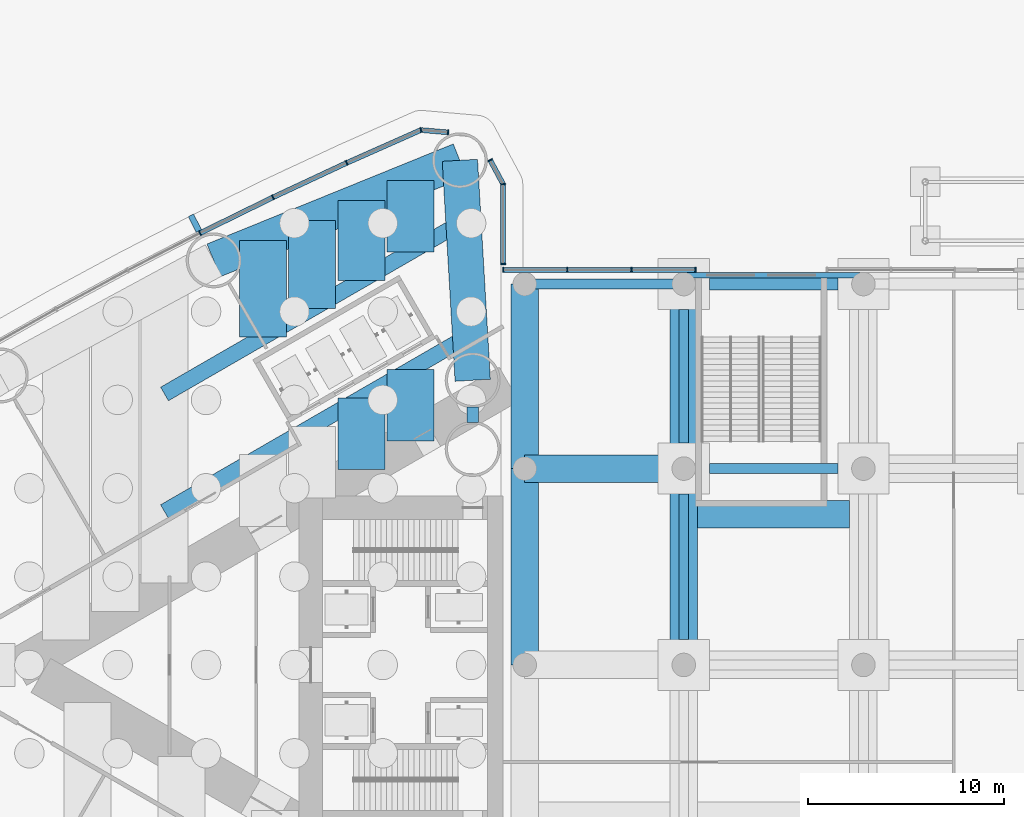
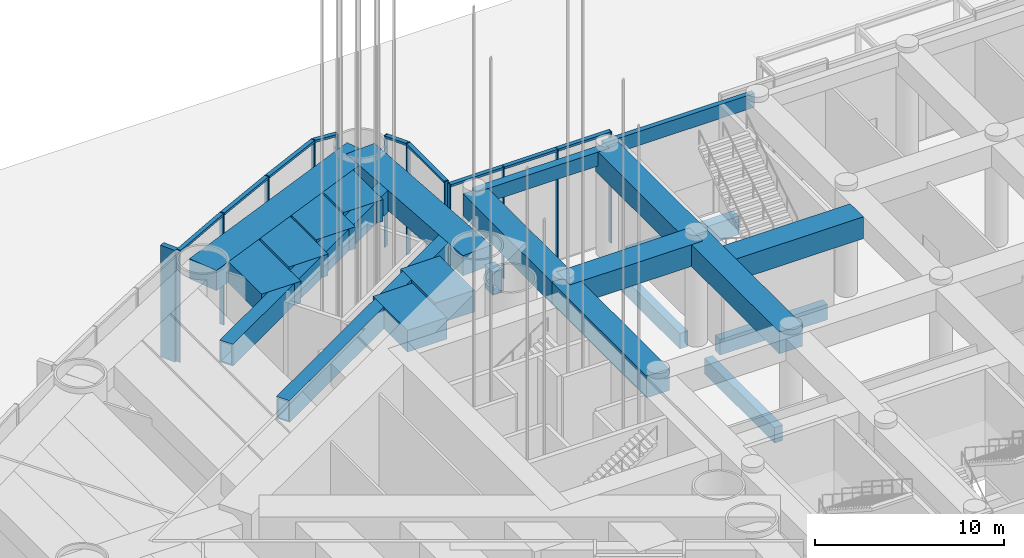
# One storey, part 10 of 43: 23 beams, 22 members, 3 elements without a shape of their own.
"""IFC4 building model written with IfcOpenShell, lengths in metres."""

from ifc_helpers import new_model, si_unit, direction, frame, origin, origin_2d, place, context, subcontext, project, spatial, rectangle, hollow_rectangle, extrude, material, material_profile, profile_set, type_object, element, aggregate, save


model = new_model("IFC4")

# Units and contexts
model_context = context("Model", 3, precision=1e-05, world=origin(), true_north=direction((0.0, 1.0)))
body_context = subcontext(model_context, "Body", "Model", "MODEL_VIEW")
ifc_project = project(units=[si_unit("LENGTHUNIT", "METRE"), si_unit("AREAUNIT", "SQUARE_METRE"), si_unit("VOLUMEUNIT", "CUBIC_METRE"), si_unit("PLANEANGLEUNIT", "RADIAN"), si_unit("MASSUNIT", "GRAM", prefix="KILO")], contexts=[model_context])

# Site, building, storey
site_placement = place(None, origin())
site = spatial("IfcSite", under=ifc_project, at=site_placement, CompositionType="ELEMENT")
building_placement = place(site_placement, origin())
building = spatial("IfcBuilding", under=site, at=building_placement, Name="Lancet Gate Hotel", CompositionType="ELEMENT")
storey_placement = place(building_placement, origin())
storey = spatial("IfcBuildingStorey", under=building, at=storey_placement, Name="L00", CompositionType="ELEMENT", Elevation=0.0)

# Curtain wall, members
ifc_material_1 = material(Name="Aluminium curtain wall", Category="aluminium")
curtain_wall_type = type_object("IfcCurtainWallType", Name="Podium curtain wall", PredefinedType="USERDEFINED", material=ifc_material_1)
curtain_wall_1_placement = place(storey_placement, origin())
curtain_wall_1 = element("IfcCurtainWall", 1, at=curtain_wall_1_placement, inside=storey, type_object=curtain_wall_type, Name="T1 L00 curtain wall 1", ObjectType="UNITISED CURTAIN WALL", PredefinedType="USERDEFINED")
ifc_material_2 = material(Name="Aluminium mullion", Category="aluminium")
ifc_material_profile_1 = material_profile(ifc_material_2, rectangle(XDim=0.06494140625, YDim=0.25, at=origin_2d()), Name="MULLION 65x250")
ifc_profile_set_1 = profile_set([ifc_material_profile_1], Name="Aluminium mullion")
member_type_1 = type_object("IfcMemberType", Name="Aluminium mullion 65x250", PredefinedType="MULLION", material=ifc_profile_set_1)
member_1_placement = place(storey_placement, frame((-27.5, 20.41845703125, 0.0), z_axis=(0.0, 0.0, 1.0), x_axis=(0.0, 1.0, 0.0)))
member_1 = element("IfcMember", 2, at=member_1_placement, type_object=member_type_1, Name="T1 L00 curtain wall 1 mullion 1", PredefinedType="MULLION", context=body_context, shape_type="SweptSolid", body=[
    extrude(rectangle(XDim=0.06494140625, YDim=0.25, at=origin_2d()), origin(), (0.0, 0.0, 1.0), 7.199951171875),
])
member_2_placement = place(storey_placement, frame((-27.5, 24.4912109375, 0.0), z_axis=(0.0, 0.0, 1.0), x_axis=(-0.123482502544, 0.992346749662, 0.0)))
member_2 = element("IfcMember", 3, at=member_2_placement, type_object=member_type_1, Name="T1 L00 curtain wall 1 mullion 2", PredefinedType="MULLION", context=body_context, shape_type="SweptSolid", body=[
    extrude(rectangle(XDim=0.06494140625, YDim=0.25, at=origin_2d()), origin(), (0.0, 0.0, 1.0), 7.199951171875),
])
member_3_placement = place(storey_placement, frame((-28.158935546875, 25.712890625, 0.0), z_axis=(0.0, 0.0, 1.0), x_axis=(-0.474631040972, 0.880184852714, 0.0)))
member_3 = element("IfcMember", 4, at=member_3_placement, type_object=member_type_1, Name="T1 L00 curtain wall 1 mullion 3", PredefinedType="MULLION", context=body_context, shape_type="SweptSolid", body=[
    extrude(rectangle(XDim=0.06494140625, YDim=0.25, at=origin_2d()), origin(), (0.0, 0.0, 1.0), 7.199951171875),
])

curtain_wall_2_placement = place(storey_placement, origin())
curtain_wall_2 = element("IfcCurtainWall", 5, at=curtain_wall_2_placement, inside=storey, type_object=curtain_wall_type, Name="T1 L00 curtain wall 2", ObjectType="UNITISED CURTAIN WALL", PredefinedType="USERDEFINED")
member_4_placement = place(storey_placement, frame((-30.3046875, 27.124755859375, 0.0), z_axis=(0.0, 0.0, 1.0), x_axis=(-0.99620380374, 0.087051602022, 0.0)))
member_4 = element("IfcMember", 6, at=member_4_placement, type_object=member_type_1, Name="T1 L00 curtain wall 2 mullion 1", PredefinedType="MULLION", context=body_context, shape_type="SweptSolid", body=[
    extrude(rectangle(XDim=0.06494140625, YDim=0.25, at=origin_2d()), origin(), (0.0, 0.0, 1.0), 7.199951171875),
])
member_5_placement = place(storey_placement, frame((-31.688720703125, 27.24560546875, 0.0), z_axis=(0.0, 0.0, 1.0), x_axis=(-0.957524354695, -0.288352406209, 0.0)))
member_5 = element("IfcMember", 7, at=member_5_placement, type_object=member_type_1, Name="T1 L00 curtain wall 2 mullion 2", PredefinedType="MULLION", context=body_context, shape_type="SweptSolid", body=[
    extrude(rectangle(XDim=0.06494140625, YDim=0.25, at=origin_2d()), origin(), (0.0, 0.0, 1.0), 7.199951171875),
])
member_6_placement = place(storey_placement, frame((-35.473876953125, 25.568115234375, 0.0), z_axis=(0.0, 0.0, 1.0), x_axis=(-0.910219680212, -0.414125746308, 0.0)))
member_6 = element("IfcMember", 8, at=member_6_placement, type_object=member_type_1, Name="T1 L00 curtain wall 2 mullion 3", PredefinedType="MULLION", context=body_context, shape_type="SweptSolid", body=[
    extrude(rectangle(XDim=0.06494140625, YDim=0.25, at=origin_2d()), origin(), (0.0, 0.0, 1.0), 7.199951171875),
])
member_7_placement = place(storey_placement, frame((-39.225341796875, 23.816650390625, 0.0), z_axis=(0.0, 0.0, 1.0), x_axis=(-0.901928838337, -0.431884672772, 0.0)))
member_7 = element("IfcMember", 9, at=member_7_placement, type_object=member_type_1, Name="T1 L00 curtain wall 2 mullion 4", PredefinedType="MULLION", context=body_context, shape_type="SweptSolid", body=[
    extrude(rectangle(XDim=0.06494140625, YDim=0.25, at=origin_2d()), origin(), (0.0, 0.0, 1.0), 7.199951171875),
])
member_8_placement = place(storey_placement, frame((-42.94189453125, 21.991943359375, 0.0), z_axis=(0.0, 0.0, 1.0), x_axis=(-0.893291549794, -0.449477704748, 0.0)))
member_8 = element("IfcMember", 10, at=member_8_placement, type_object=member_type_1, Name="T1 L00 curtain wall 2 mullion 5", PredefinedType="MULLION", context=body_context, shape_type="SweptSolid", body=[
    extrude(rectangle(XDim=0.06494140625, YDim=0.25, at=origin_2d()), origin(), (0.0, 0.0, 1.0), 7.199951171875),
])

curtain_wall_3_placement = place(storey_placement, origin())
curtain_wall_3 = element("IfcCurtainWall", 11, at=curtain_wall_3_placement, inside=storey, type_object=curtain_wall_type, Name="Podium L00 curtain wall N1", ObjectType="UNITISED CURTAIN WALL", PredefinedType="USERDEFINED")
member_9_placement = place(storey_placement, frame((-17.699951171875, 20.1201171875, 0.0), z_axis=(0.0, 0.0, 1.0), x_axis=(-1.0, 0.0, 0.0)))
member_9 = element("IfcMember", 12, at=member_9_placement, type_object=member_type_1, Name="Podium L00 curtain wall N1 mullion 1", PredefinedType="MULLION", context=body_context, shape_type="SweptSolid", body=[
    extrude(rectangle(XDim=0.06494140625, YDim=0.25, at=origin_2d()), origin(), (0.0, 0.0, 1.0), 7.199951171875),
])
member_10_placement = place(storey_placement, frame((-20.966552734375, 20.1201171875, 0.0), z_axis=(0.0, 0.0, 1.0), x_axis=(-1.0, 0.0, 0.0)))
member_10 = element("IfcMember", 13, at=member_10_placement, type_object=member_type_1, Name="Podium L00 curtain wall N1 mullion 2", PredefinedType="MULLION", context=body_context, shape_type="SweptSolid", body=[
    extrude(rectangle(XDim=0.06494140625, YDim=0.25, at=origin_2d()), origin(), (0.0, 0.0, 1.0), 7.199951171875),
])
member_11_placement = place(storey_placement, frame((-24.2333984375, 20.1201171875, 0.0), z_axis=(0.0, 0.0, 1.0), x_axis=(-1.0, 0.0, 0.0)))
member_11 = element("IfcMember", 14, at=member_11_placement, type_object=member_type_1, Name="Podium L00 curtain wall N1 mullion 3", PredefinedType="MULLION", context=body_context, shape_type="SweptSolid", body=[
    extrude(rectangle(XDim=0.06494140625, YDim=0.25, at=origin_2d()), origin(), (0.0, 0.0, 1.0), 7.199951171875),
])
member_12_placement = place(storey_placement, frame((-27.5, 20.1201171875, 0.0), z_axis=(0.0, 0.0, 1.0), x_axis=(-1.0, 0.0, 0.0)))
member_12 = element("IfcMember", 15, at=member_12_placement, type_object=member_type_1, Name="Podium L00 curtain wall N1 mullion 4", PredefinedType="MULLION", context=body_context, shape_type="SweptSolid", body=[
    extrude(rectangle(XDim=0.06494140625, YDim=0.25, at=origin_2d()), origin(), (0.0, 0.0, 1.0), 7.199951171875),
])

# Member
ifc_material_3 = material(Name="Aluminium transom", Category="aluminium")
ifc_material_profile_2 = material_profile(ifc_material_3, rectangle(XDim=0.25, YDim=0.14990234375, at=origin_2d()), Name="TRANSOM 250x150")
ifc_profile_set_2 = profile_set([ifc_material_profile_2], Name="Aluminium transom")
member_type_2 = type_object("IfcMemberType", Name="Aluminium transom 250x150", PredefinedType="USERDEFINED", material=ifc_profile_set_2)
member_13_placement = place(storey_placement, frame((-27.5, 20.450927734375, 7.125), z_axis=(0.0, 1.0, 0.0), x_axis=(-1.0, 0.0, 0.0)))
member_13 = element("IfcMember", 16, at=member_13_placement, type_object=member_type_2, Name="T1 L00 curtain wall 1 transom 1", ObjectType="TRANSOM", PredefinedType="USERDEFINED", context=body_context, shape_type="SweptSolid", body=[
    extrude(rectangle(XDim=0.25, YDim=0.14990234375, at=origin_2d()), origin(), (0.0, 0.0, 1.0), 4.0078125),
])

member_14_placement = place(storey_placement, frame((-27.515380859375, 24.519775390625, 7.125), z_axis=(-0.474605926905, 0.880198394765, 0.0), x_axis=(-0.880198394765, -0.474605926905, 0.0)))
member_14 = element("IfcMember", 17, at=member_14_placement, type_object=member_type_2, Name="T1 L00 curtain wall 1 transom 2", ObjectType="TRANSOM", PredefinedType="USERDEFINED", context=body_context, shape_type="SweptSolid", body=[
    extrude(rectangle(XDim=0.25, YDim=0.14990234375, at=origin_2d()), origin(), (0.0, 0.0, 1.0), 1.322998046875),
])

aggregate(curtain_wall_1, [member_1, member_2, member_3, member_13, member_14])

member_15_placement = place(storey_placement, frame((-30.337158203125, 27.127685546875, 7.125), z_axis=(-0.99620591587, 0.087027427779, 0.0), x_axis=(-0.087027427779, -0.99620591587, 0.0)))
member_15 = element("IfcMember", 18, at=member_15_placement, type_object=member_type_2, Name="T1 L00 curtain wall 2 transom 1", ObjectType="TRANSOM", PredefinedType="USERDEFINED", context=body_context, shape_type="SweptSolid", body=[
    extrude(rectangle(XDim=0.25, YDim=0.14990234375, at=origin_2d()), origin(), (0.0, 0.0, 1.0), 1.32421875),
])

member_16_placement = place(storey_placement, frame((-31.71826171875, 27.232421875, 7.125), z_axis=(-0.914248281954, -0.405154389022, 0.0), x_axis=(0.405154389022, -0.914248281954, 0.0)))
member_16 = element("IfcMember", 19, at=member_16_placement, type_object=member_type_2, Name="T1 L00 curtain wall 2 transom 2", ObjectType="TRANSOM", PredefinedType="USERDEFINED", context=body_context, shape_type="SweptSolid", body=[
    extrude(rectangle(XDim=0.25, YDim=0.14990234375, at=origin_2d()), origin(), (0.0, 0.0, 1.0), 4.0751953125),
])

member_17_placement = place(storey_placement, frame((-35.503173828125, 25.554443359375, 7.125), z_axis=(-0.906109667261, -0.423042871228, 0.0), x_axis=(0.423042871228, -0.906109667261, 0.0)))
member_17 = element("IfcMember", 20, at=member_17_placement, type_object=member_type_2, Name="T1 L00 curtain wall 2 transom 3", ObjectType="TRANSOM", PredefinedType="USERDEFINED", context=body_context, shape_type="SweptSolid", body=[
    extrude(rectangle(XDim=0.25, YDim=0.14990234375, at=origin_2d()), origin(), (0.0, 0.0, 1.0), 4.075439453125),
])

member_18_placement = place(storey_placement, frame((-39.254638671875, 23.80224609375, 7.125), z_axis=(-0.897662439958, -0.440683723194, 0.0), x_axis=(0.440683723194, -0.897662439958, 0.0)))
member_18 = element("IfcMember", 21, at=member_18_placement, type_object=member_type_2, Name="T1 L00 curtain wall 2 transom 4", ObjectType="TRANSOM", PredefinedType="USERDEFINED", context=body_context, shape_type="SweptSolid", body=[
    extrude(rectangle(XDim=0.25, YDim=0.14990234375, at=origin_2d()), origin(), (0.0, 0.0, 1.0), 4.0751953125),
])

member_19_placement = place(storey_placement, frame((-17.732421875, 20.1201171875, 7.125), z_axis=(-1.0, 0.0, 0.0), x_axis=(0.0, -1.0, 0.0)))
member_19 = element("IfcMember", 22, at=member_19_placement, type_object=member_type_2, Name="Podium L00 curtain wall N1 transom 1", ObjectType="TRANSOM", PredefinedType="USERDEFINED", context=body_context, shape_type="SweptSolid", body=[
    extrude(rectangle(XDim=0.25, YDim=0.14990234375, at=origin_2d()), origin(), (0.0, 0.0, 1.0), 3.20166015625),
])

member_20_placement = place(storey_placement, frame((-20.999267578125, 20.1201171875, 7.125), z_axis=(-1.0, 0.0, 0.0), x_axis=(0.0, -1.0, 0.0)))
member_20 = element("IfcMember", 23, at=member_20_placement, type_object=member_type_2, Name="Podium L00 curtain wall N1 transom 2", ObjectType="TRANSOM", PredefinedType="USERDEFINED", context=body_context, shape_type="SweptSolid", body=[
    extrude(rectangle(XDim=0.25, YDim=0.14990234375, at=origin_2d()), origin(), (0.0, 0.0, 1.0), 3.20166015625),
])

member_21_placement = place(storey_placement, frame((-24.265869140625, 20.1201171875, 7.125), z_axis=(-1.0, 0.0, 0.0), x_axis=(0.0, -1.0, 0.0)))
member_21 = element("IfcMember", 24, at=member_21_placement, type_object=member_type_2, Name="Podium L00 curtain wall N1 transom 3", ObjectType="TRANSOM", PredefinedType="USERDEFINED", context=body_context, shape_type="SweptSolid", body=[
    extrude(rectangle(XDim=0.25, YDim=0.14990234375, at=origin_2d()), origin(), (0.0, 0.0, 1.0), 3.20166015625),
])

aggregate(curtain_wall_3, [member_9, member_10, member_11, member_12, member_19, member_20, member_21])

# Beams
ifc_material_4 = material(Name="Concrete C50/60", Category="concrete")
ifc_material_profile_3 = material_profile(ifc_material_4, rectangle(XDim=1.800048828125, YDim=1.300048828125, at=origin_2d()), Name="RC 1800x1300")
ifc_profile_set_3 = profile_set([ifc_material_profile_3], Name="Concrete C50/60")
beam_type_1 = type_object("IfcBeamType", Name="Edge beam RC 1800x1300", PredefinedType="SPANDREL", material=ifc_profile_set_3)
beam_1_placement = place(storey_placement, frame((-29.703369140625, 25.70263671875, 6.199951171875), z_axis=(-0.926463236197, -0.376385270667, 0.0), x_axis=(0.376385270667, -0.926463236197, 0.0)))
element("IfcBeam", 25, at=beam_1_placement, inside=storey, type_object=beam_type_1, Name="T1 edge beam EB1 L00", PredefinedType="SPANDREL", context=body_context, shape_type="SweptSolid", body=[
    extrude(rectangle(XDim=1.800048828125, YDim=1.300048828125, at=origin_2d()), origin(), (0.0, 0.0, 1.0), 13.537353515625),
])
beam_2_placement = place(storey_placement, frame((-29.703369140625, 25.70263671875, 6.199951171875), z_axis=(0.058219521912, -0.998303805096, 0.0), x_axis=(0.998303805096, 0.058219521912, 0.0)))
element("IfcBeam", 26, at=beam_2_placement, inside=storey, type_object=beam_type_1, Name="T1 edge beam EB1 L00", PredefinedType="SPANDREL", context=body_context, shape_type="SweptSolid", body=[
    extrude(rectangle(XDim=1.800048828125, YDim=1.300048828125, at=origin_2d()), origin(), (0.0, 0.0, 1.0), 11.2216796875),
])

# Member
ifc_material_5 = material(Name="Precast concrete C50/60", Category="concrete")
ifc_material_profile_4 = material_profile(ifc_material_5, rectangle(XDim=0.300048828125, YDim=0.89990234375, at=origin_2d()), Name="FIN 300x900")
ifc_profile_set_4 = profile_set([ifc_material_profile_4], Name="Precast concrete C50/60")
member_type_3 = type_object("IfcMemberType", Name="Exposed concrete fin 300x900", PredefinedType="USERDEFINED", material=ifc_profile_set_4)
member_22_placement = place(storey_placement, frame((-43.200439453125, 22.505615234375, 0.0), z_axis=(0.0, 0.0, 1.0), x_axis=(-0.893291549794, -0.449477704748, 0.0)))
member_22 = element("IfcMember", 27, at=member_22_placement, type_object=member_type_3, Name="T1 L00 curtain wall 2 fin 5", ObjectType="FIN", PredefinedType="USERDEFINED", context=body_context, shape_type="SweptSolid", body=[
    extrude(rectangle(XDim=0.300048828125, YDim=0.89990234375, at=origin_2d()), origin(), (0.0, 0.0, 1.0), 7.199951171875),
])

aggregate(curtain_wall_2, [member_4, member_5, member_6, member_7, member_8, member_22, member_15, member_16, member_17, member_18])

# Beams
ifc_material_6 = material(Name="Concrete C50/60", Category="concrete")
ifc_material_profile_5 = material_profile(ifc_material_6, rectangle(XDim=2.39990234375, YDim=1.39990234375, at=origin_2d()), Name="RC 2400x1400")
ifc_profile_set_5 = profile_set([ifc_material_profile_5], Name="Concrete C50/60")
beam_type_2 = type_object("IfcBeamType", Name="Floor beam RC 2400x1400", PredefinedType="BEAM", material=ifc_profile_set_5)
beam_3_placement = place(storey_placement, frame((-32.213623046875, 24.682861328125, 6.14990234375), z_axis=(0.0, -1.0, 0.0), x_axis=(1.0, 0.0, 0.0)))
element("IfcBeam", 28, at=beam_3_placement, inside=storey, type_object=beam_type_2, Name="T1 floor beam F02SA L00", PredefinedType="BEAM", context=body_context, shape_type="SweptSolid", body=[
    extrude(rectangle(XDim=2.39990234375, YDim=1.39990234375, at=origin_2d()), origin(), (0.0, 0.0, 1.0), 3.643798828125),
])
beam_4_placement = place(storey_placement, frame((-32.213623046875, 15.051025390625, 6.14990234375), z_axis=(0.0, -1.0, 0.0), x_axis=(1.0, 0.0, 0.0)))
element("IfcBeam", 29, at=beam_4_placement, inside=storey, type_object=beam_type_2, Name="T1 floor beam F02SB L00", PredefinedType="BEAM", context=body_context, shape_type="SweptSolid", body=[
    extrude(rectangle(XDim=2.39990234375, YDim=1.39990234375, at=origin_2d()), origin(), (0.0, 0.0, 1.0), 3.645751953125),
])
beam_5_placement = place(storey_placement, frame((-34.720458984375, 23.664306640625, 6.14990234375), z_axis=(0.0, -1.0, 0.0), x_axis=(1.0, 0.0, 0.0)))
element("IfcBeam", 30, at=beam_5_placement, inside=storey, type_object=beam_type_2, Name="T1 floor beam F04SA L00", PredefinedType="BEAM", context=body_context, shape_type="SweptSolid", body=[
    extrude(rectangle(XDim=2.39990234375, YDim=1.39990234375, at=origin_2d()), origin(), (0.0, 0.0, 1.0), 4.07275390625),
])
beam_6_placement = place(storey_placement, frame((-34.720458984375, 13.603759765625, 6.14990234375), z_axis=(0.0, -1.0, 0.0), x_axis=(1.0, 0.0, 0.0)))
element("IfcBeam", 31, at=beam_6_placement, inside=storey, type_object=beam_type_2, Name="T1 floor beam F04SB L00", PredefinedType="BEAM", context=body_context, shape_type="SweptSolid", body=[
    extrude(rectangle(XDim=2.39990234375, YDim=1.39990234375, at=origin_2d()), origin(), (0.0, 0.0, 1.0), 3.645751953125),
])
beam_7_placement = place(storey_placement, frame((-37.227294921875, 22.64599609375, 6.14990234375), z_axis=(0.0, -1.0, 0.0), x_axis=(1.0, 0.0, 0.0)))
element("IfcBeam", 32, at=beam_7_placement, inside=storey, type_object=beam_type_2, Name="T1 floor beam F05SA L00", PredefinedType="BEAM", context=body_context, shape_type="SweptSolid", body=[
    extrude(rectangle(XDim=2.39990234375, YDim=1.39990234375, at=origin_2d()), origin(), (0.0, 0.0, 1.0), 4.501953125),
])
beam_8_placement = place(storey_placement, frame((-39.734130859375, 21.627685546875, 6.14990234375), z_axis=(0.0, -1.0, 0.0), x_axis=(1.0, 0.0, 0.0)))
element("IfcBeam", 33, at=beam_8_placement, inside=storey, type_object=beam_type_2, Name="T1 floor beam F07SA L00", PredefinedType="BEAM", context=body_context, shape_type="SweptSolid", body=[
    extrude(rectangle(XDim=2.39990234375, YDim=1.39990234375, at=origin_2d()), origin(), (0.0, 0.0, 1.0), 4.93115234375),
])
ifc_material_7 = material(Name="Concrete C40/50", Category="concrete")
ifc_material_profile_6 = material_profile(ifc_material_7, rectangle(XDim=0.5, YDim=1.0, at=origin_2d()), Name="RC 500x1000")
ifc_profile_set_6 = profile_set([ifc_material_profile_6], Name="Concrete C40/50")
beam_type_3 = type_object("IfcBeamType", Name="Ground beam RC 500x1000", PredefinedType="BEAM", material=ifc_profile_set_6)
beam_9_placement = place(storey_placement, frame((-18.300048828125, 1.300048828125, -0.75), z_axis=(0.0, 1.0, 0.0), x_axis=(-1.0, 0.0, 0.0)))
element("IfcBeam", 34, at=beam_9_placement, inside=storey, type_object=beam_type_3, Name="Ground beam 2C-2D", PredefinedType="BEAM", context=body_context, shape_type="SweptSolid", body=[
    extrude(rectangle(XDim=0.5, YDim=1.0, at=origin_2d()), origin(), (0.0, 0.0, 1.0), 7.39990234375),
])
beam_10_placement = place(storey_placement, frame((-17.0, 10.0, -0.75), z_axis=(1.0, 0.0, 0.0), x_axis=(0.0, 1.0, 0.0)))
element("IfcBeam", 35, at=beam_10_placement, inside=storey, type_object=beam_type_3, Name="Ground beam 2D-3D", PredefinedType="BEAM", context=body_context, shape_type="SweptSolid", body=[
    extrude(rectangle(XDim=0.5, YDim=1.0, at=origin_2d()), origin(), (0.0, 0.0, 1.0), 6.550048828125),
])
beam_11_placement = place(storey_placement, frame((-18.300048828125, 11.300048828125, -0.75), z_axis=(0.0, 1.0, 0.0), x_axis=(-1.0, 0.0, 0.0)))
element("IfcBeam", 36, at=beam_11_placement, inside=storey, type_object=beam_type_3, Name="Ground beam 2D-2E", PredefinedType="BEAM", context=body_context, shape_type="SweptSolid", body=[
    extrude(rectangle(XDim=0.5, YDim=1.0, at=origin_2d()), origin(), (0.0, 0.0, 1.0), 6.800048828125),
])
ifc_material_8 = material(Name="Concrete C40/50", Category="concrete")
ifc_material_profile_7 = material_profile(ifc_material_8, rectangle(XDim=0.60009765625, YDim=1.199951171875, at=origin_2d()), Name="RC 600x1200")
ifc_profile_set_7 = profile_set([ifc_material_profile_7], Name="Concrete C40/50")
beam_type_4 = type_object("IfcBeamType", Name="Ground beam RC 600x1200", PredefinedType="BEAM", material=ifc_profile_set_7)
beam_12_placement = place(storey_placement, frame((-17.0, 19.39990234375, -0.85009765625), z_axis=(1.0, 0.0, 0.0), x_axis=(0.0, 1.0, 0.0)))
element("IfcBeam", 37, at=beam_12_placement, inside=storey, type_object=beam_type_4, Name="Ground beam 2E-3E", PredefinedType="BEAM", context=body_context, shape_type="SweptSolid", body=[
    extrude(rectangle(XDim=0.60009765625, YDim=1.199951171875, at=origin_2d()), origin(), (0.0, 0.0, 1.0), 6.550048828125),
])
ifc_material_9 = material(Name="Steel S460QL", Category="steel")
ifc_material_profile_8 = material_profile(ifc_material_9, hollow_rectangle(XDim=0.60009765625, YDim=1.5, WallThickness=0.050048828125, at=origin_2d()), Name="BOX 1500x600x50")
ifc_profile_set_8 = profile_set([ifc_material_profile_8], Name="Steel S460QL")
beam_type_5 = type_object("IfcBeamType", Name="Inner-face link beam BOX 1500x600x50", PredefinedType="BEAM", material=ifc_profile_set_8)
beam_13_placement = place(storey_placement, frame((-29.050048828125, 13.14990234375, 6.10009765625), z_axis=(0.0, -1.0, 0.0), x_axis=(1.0, 0.0, 0.0)))
element("IfcBeam", 38, at=beam_13_placement, inside=storey, type_object=beam_type_5, Name="T1 inner-face link beam LK1 L00", PredefinedType="BEAM", context=body_context, shape_type="SweptSolid", body=[
    extrude(hollow_rectangle(XDim=0.60009765625, YDim=1.5, WallThickness=0.050048828125, at=origin_2d()), origin(), (0.0, 0.0, 1.0), 0.7998046875),
])
ifc_material_10 = material(Name="Concrete C50/60", Category="concrete")
ifc_material_profile_9 = material_profile(ifc_material_10, rectangle(XDim=1.39990234375, YDim=1.39990234375, at=origin_2d()), Name="RC 1400x1400")
ifc_profile_set_9 = profile_set([ifc_material_profile_9], Name="Concrete C50/60")
beam_type_6 = type_object("IfcBeamType", Name="Podium beam RC 1400x1400", PredefinedType="BEAM", material=ifc_profile_set_9)
beam_14_placement = place(storey_placement, frame((-26.39990234375, 10.0, 6.14990234375), z_axis=(1.0, 0.0, 0.0), x_axis=(0.0, 1.0, 0.0)))
element("IfcBeam", 39, at=beam_14_placement, inside=storey, type_object=beam_type_6, Name="Podium beam D/1-2 L00", PredefinedType="BEAM", context=body_context, shape_type="SweptSolid", body=[
    extrude(rectangle(XDim=1.39990234375, YDim=1.39990234375, at=origin_2d()), origin(), (0.0, 0.0, 1.0), 8.099853515625),
])
beam_15_placement = place(storey_placement, frame((-17.60009765625, 7.679931640625, 6.14990234375), z_axis=(1.0, 0.0, 0.0), x_axis=(0.0, 1.0, 0.0)))
element("IfcBeam", 40, at=beam_15_placement, inside=storey, type_object=beam_type_6, Name="Podium trimmer beam PS4 L00", PredefinedType="BEAM", context=body_context, shape_type="SweptSolid", body=[
    extrude(rectangle(XDim=1.39990234375, YDim=1.39990234375, at=origin_2d()), origin(), (0.0, 0.0, 1.0), 7.75),
])
beam_16_placement = place(storey_placement, frame((-26.39990234375, 0.0, 6.14990234375), z_axis=(0.0, 1.0, 0.0), x_axis=(-1.0, 0.0, 0.0)))
element("IfcBeam", 41, at=beam_16_placement, inside=storey, type_object=beam_type_6, Name="Podium beam 1/C-D L00", PredefinedType="BEAM", context=body_context, shape_type="SweptSolid", body=[
    extrude(rectangle(XDim=1.39990234375, YDim=1.39990234375, at=origin_2d()), origin(), (0.0, 0.0, 1.0), 10.0),
])
beam_17_placement = place(storey_placement, frame((-26.39990234375, 10.0, 6.14990234375), z_axis=(0.0, 1.0, 0.0), x_axis=(-1.0, 0.0, 0.0)))
element("IfcBeam", 42, at=beam_17_placement, inside=storey, type_object=beam_type_6, Name="Podium beam 1/D-E L00", PredefinedType="BEAM", context=body_context, shape_type="SweptSolid", body=[
    extrude(rectangle(XDim=1.39990234375, YDim=1.39990234375, at=origin_2d()), origin(), (0.0, 0.0, 1.0), 9.39990234375),
])
beam_18_placement = place(storey_placement, frame((-18.300048828125, 0.0, 6.14990234375), z_axis=(0.0, 1.0, 0.0), x_axis=(-1.0, 0.0, 0.0)))
element("IfcBeam", 43, at=beam_18_placement, inside=storey, type_object=beam_type_6, Name="Podium beam 2/C-D L00", PredefinedType="BEAM", context=body_context, shape_type="SweptSolid", body=[
    extrude(rectangle(XDim=1.39990234375, YDim=1.39990234375, at=origin_2d()), origin(), (0.0, 0.0, 1.0), 10.0),
])
beam_19_placement = place(storey_placement, frame((-18.300048828125, 10.0, 6.14990234375), z_axis=(0.0, 1.0, 0.0), x_axis=(-1.0, 0.0, 0.0)))
element("IfcBeam", 44, at=beam_19_placement, inside=storey, type_object=beam_type_6, Name="Podium beam 2/D-E L00", PredefinedType="BEAM", context=body_context, shape_type="SweptSolid", body=[
    extrude(rectangle(XDim=1.39990234375, YDim=1.39990234375, at=origin_2d()), origin(), (0.0, 0.0, 1.0), 9.39990234375),
])
ifc_material_11 = material(Name="Concrete C50/60", Category="concrete")
ifc_material_profile_10 = material_profile(ifc_material_11, rectangle(XDim=0.5, YDim=0.89990234375, at=origin_2d()), Name="RC 500x900")
ifc_profile_set_10 = profile_set([ifc_material_profile_10], Name="Concrete C50/60")
beam_type_7 = type_object("IfcBeamType", Name="Podium edge beam RC 500x900", PredefinedType="BEAM", material=ifc_profile_set_10)
beam_20_placement = place(storey_placement, frame((-26.39990234375, 19.39990234375, 6.39990234375), z_axis=(1.0, 0.0, 0.0), x_axis=(0.0, 1.0, 0.0)))
element("IfcBeam", 45, at=beam_20_placement, inside=storey, type_object=beam_type_7, Name="Podium beam E/1-2 L00", PredefinedType="BEAM", context=body_context, shape_type="SweptSolid", body=[
    extrude(rectangle(XDim=0.5, YDim=0.89990234375, at=origin_2d()), origin(), (0.0, 0.0, 1.0), 8.099853515625),
])
ifc_material_12 = material(Name="Concrete C50/60", Category="concrete")
ifc_material_profile_11 = material_profile(ifc_material_12, rectangle(XDim=0.300048828125, YDim=0.89990234375, at=origin_2d()), Name="RC 300x900")
ifc_profile_set_11 = profile_set([ifc_material_profile_11], Name="Concrete C50/60")
beam_type_8 = type_object("IfcBeamType", Name="Podium stair edge beam RC 300x900", PredefinedType="BEAM", material=ifc_profile_set_11)
beam_21_placement = place(storey_placement, frame((-18.300048828125, 19.85009765625, 6.39990234375), z_axis=(1.0, 0.0, 0.0), x_axis=(0.0, 1.0, 0.0)))
element("IfcBeam", 46, at=beam_21_placement, inside=storey, type_object=beam_type_8, Name="Podium beam E/2-3 L00", PredefinedType="BEAM", context=body_context, shape_type="SweptSolid", body=[
    extrude(rectangle(XDim=0.300048828125, YDim=0.89990234375, at=origin_2d()), origin(), (0.0, 0.0, 1.0), 9.150146484375),
])
ifc_material_13 = material(Name="Steel S460QL", Category="steel")
ifc_material_profile_12 = material_profile(ifc_material_13, hollow_rectangle(XDim=0.800048828125, YDim=1.39990234375, WallThickness=0.080078125, at=origin_2d()), Name="BOX 1400x800x80")
ifc_profile_set_12 = profile_set([ifc_material_profile_12], Name="Steel S460QL")
beam_type_9 = type_object("IfcBeamType", Name="Trimmer beam BOX 1400x800x80", PredefinedType="BEAM", material=ifc_profile_set_12)
beam_22_placement = place(storey_placement, frame((-29.18408203125, 16.800537109375, 6.14990234375), z_axis=(-0.865998945969, -0.500045823481, 0.0), x_axis=(0.500045823481, -0.865998945969, 0.0)))
element("IfcBeam", 47, at=beam_22_placement, inside=storey, type_object=beam_type_9, Name="T1 trimmer beam TR01S L00", PredefinedType="BEAM", context=body_context, shape_type="SweptSolid", body=[
    extrude(hollow_rectangle(XDim=0.800048828125, YDim=1.39990234375, WallThickness=0.080078125, at=origin_2d()), origin(), (0.0, 0.0, 1.0), 17.971923828125),
])
beam_23_placement = place(storey_placement, frame((-29.52197265625, 22.59326171875, 6.14990234375), z_axis=(-0.866004054636, -0.500036975987, 0.0), x_axis=(0.500036975987, -0.866004054636, 0.0)))
element("IfcBeam", 48, at=beam_23_placement, inside=storey, type_object=beam_type_9, Name="T1 trimmer beam TR02S L00", PredefinedType="BEAM", context=body_context, shape_type="SweptSolid", body=[
    extrude(hollow_rectangle(XDim=0.800048828125, YDim=1.39990234375, WallThickness=0.080078125, at=origin_2d()), origin(), (0.0, 0.0, 1.0), 17.581787109375),
])

save(model, "model.ifc")
